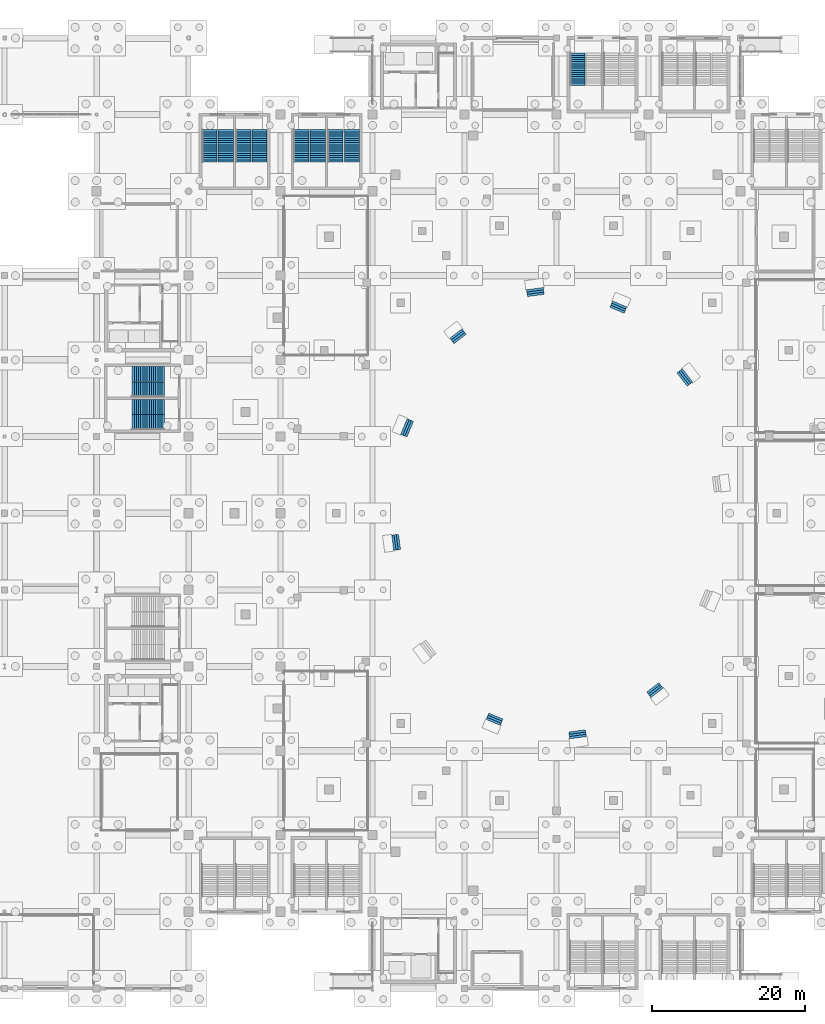
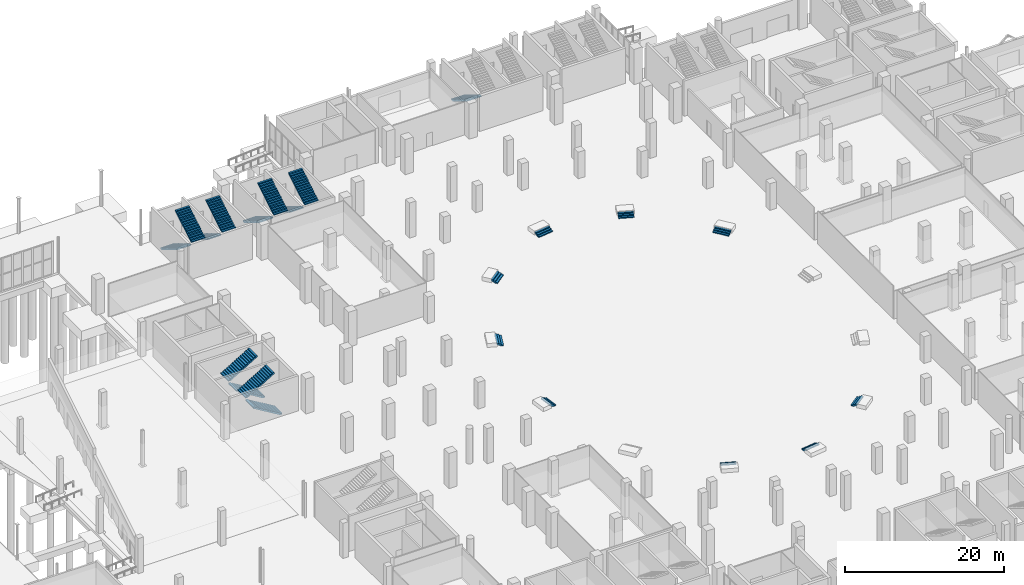
# One storey, part 59 of 70: 22 stair flights, 16 elements without a shape of their own.
"""IFC4 building model written with IfcOpenShell, lengths in metres."""

from ifc_helpers import new_model, si_unit, direction, frame, origin, place, context, subcontext, project, spatial, polyline, outline, extrude, material, layer, layer_set, type_object, element, aggregate, save


model = new_model("IFC4")

# Units and contexts
model_context = context("Model", 3, precision=1e-05, world=origin(), true_north=direction((0.0, 1.0)))
body_context = subcontext(model_context, "Body", "Model", "MODEL_VIEW")
ifc_project = project(units=[si_unit("LENGTHUNIT", "METRE"), si_unit("AREAUNIT", "SQUARE_METRE"), si_unit("VOLUMEUNIT", "CUBIC_METRE"), si_unit("PLANEANGLEUNIT", "RADIAN"), si_unit("MASSUNIT", "GRAM", prefix="KILO")], contexts=[model_context])

# Site, building, storey
site_placement = place(None, origin())
site = spatial("IfcSite", under=ifc_project, at=site_placement, CompositionType="ELEMENT")
building_placement = place(site_placement, origin())
building = spatial("IfcBuilding", under=site, at=building_placement, Name="Brinegate Civic Arena", CompositionType="ELEMENT")
storey_placement = place(building_placement, origin())
storey = spatial("IfcBuildingStorey", under=building, at=storey_placement, Name="L00", CompositionType="ELEMENT", Elevation=0.0)

# Stair, stair flights
ifc_material = material(Name="Concrete C40/50", Category="concrete")
stair_type_1 = type_object("IfcStairType", Name="STAIR-EXIT-3700", PredefinedType="HALF_TURN_STAIR", material=ifc_material)
stair_1_placement = place(storey_placement, origin())
stair_1 = element("IfcStair", 1, at=stair_1_placement, inside=storey, type_object=stair_type_1, Name="Protected Exit Stair ST-01B (L00)", PredefinedType="HALF_TURN_STAIR")
ifc_layer_1 = layer(ifc_material, 0.179931640625, Name="Concrete C40/50")
ifc_layer_set_1 = layer_set([ifc_layer_1], Name="Concrete C40/50")
stair_flight_type_1 = type_object("IfcStairFlightType", Name="FLIGHT-EXIT-3700", PredefinedType="STRAIGHT", material=ifc_layer_set_1)
stair_flight_1_placement = place(storey_placement, frame((67.139892578125, 112.030029296875, 0.0), z_axis=(0.0, 0.0, 1.0), x_axis=(0.0, -1.0, 0.0)))
stair_flight_1 = element("IfcStairFlight", 2, at=stair_flight_1_placement, type_object=stair_flight_type_1, Name="ST-01B flight 1", NumberOfRisers=16, NumberOfTreads=15, PredefinedType="STRAIGHT", RiserHeight=0.16875, TreadLength=0.28, context=body_context, shape_type="SweptSolid", body=[
    extrude(outline(polyline([(0.0, 0.0), (0.0, 0.168701171875), (0.280029296875, 0.168701171875), (0.280029296875, 0.33740234375), (0.56005859375, 0.33740234375), (0.56005859375, 0.50634765625), (0.840087890625, 0.50634765625), (0.840087890625, 0.675048828125), (1.1201171875, 0.675048828125), (1.1201171875, 0.84375), (1.39990234375, 0.84375), (1.39990234375, 1.012451171875), (1.679931640625, 1.012451171875), (1.679931640625, 1.18115234375), (1.9599609375, 1.18115234375), (1.9599609375, 1.35009765625), (2.239990234375, 1.35009765625), (2.239990234375, 1.518798828125), (2.52001953125, 1.518798828125), (2.52001953125, 1.6875), (2.800048828125, 1.6875), (2.800048828125, 1.856201171875), (3.080078125, 1.856201171875), (3.080078125, 2.02490234375), (3.360107421875, 2.02490234375), (3.360107421875, 2.19384765625), (3.639892578125, 2.19384765625), (3.639892578125, 2.362548828125), (3.919921875, 2.362548828125), (3.919921875, 2.53125), (4.199951171875, 2.53125), (4.199951171875, 2.699951171875), (4.199951171875, 2.3212890625), (0.3486328125, 0.0), (0.0, 0.0)])), frame((0.0, 0.97998046875, 0.0), z_axis=(0.0, -1.0, 0.0), x_axis=(1.0, 0.0, 0.0)), (0.0, 0.0, 1.0), 1.9599609375),
])
stair_flight_2_placement = place(storey_placement, frame((69.280029296875, 107.830078125, 2.699951171875), z_axis=(0.0, 0.0, 1.0), x_axis=(0.0, 1.0, 0.0)))
stair_flight_2 = element("IfcStairFlight", 3, at=stair_flight_2_placement, type_object=stair_flight_type_1, Name="ST-01B flight 2", NumberOfRisers=16, NumberOfTreads=15, PredefinedType="STRAIGHT", RiserHeight=0.16875, TreadLength=0.28, context=body_context, shape_type="SweptSolid", body=[
    extrude(outline(polyline([(0.0, 0.0), (0.0, 0.168701171875), (0.280029296875, 0.168701171875), (0.280029296875, 0.33740234375), (0.56005859375, 0.33740234375), (0.56005859375, 0.50634765625), (0.840087890625, 0.50634765625), (0.840087890625, 0.675048828125), (1.1201171875, 0.675048828125), (1.1201171875, 0.84375), (1.39990234375, 0.84375), (1.39990234375, 1.012451171875), (1.679931640625, 1.012451171875), (1.679931640625, 1.18115234375), (1.9599609375, 1.18115234375), (1.9599609375, 1.35009765625), (2.239990234375, 1.35009765625), (2.239990234375, 1.518798828125), (2.52001953125, 1.518798828125), (2.52001953125, 1.6875), (2.800048828125, 1.6875), (2.800048828125, 1.856201171875), (3.080078125, 1.856201171875), (3.080078125, 2.02490234375), (3.360107421875, 2.02490234375), (3.360107421875, 2.19384765625), (3.639892578125, 2.19384765625), (3.639892578125, 2.362548828125), (3.919921875, 2.362548828125), (3.919921875, 2.53125), (4.199951171875, 2.53125), (4.199951171875, 2.699951171875), (4.199951171875, 2.3212890625), (0.3486328125, 0.0), (0.0, 0.0)])), frame((0.0, 0.97998046875, 0.0), z_axis=(0.0, -1.0, 0.0), x_axis=(1.0, 0.0, 0.0)), (0.0, 0.0, 1.0), 1.9599609375),
])
aggregate(stair_1, [stair_flight_1, stair_flight_2])

stair_2_placement = place(storey_placement, origin())
stair_2 = element("IfcStair", 4, at=stair_2_placement, inside=storey, type_object=stair_type_1, Name="Protected Exit Stair ST-07B (L00)", PredefinedType="HALF_TURN_STAIR")
stair_flight_3_placement = place(storey_placement, frame((56.830078125, 78.139892578125, 0.0), z_axis=(0.0, 0.0, 1.0), x_axis=(-1.0, 0.0, 0.0)))
stair_flight_3 = element("IfcStairFlight", 5, at=stair_flight_3_placement, type_object=stair_flight_type_1, Name="ST-07B flight 1", NumberOfRisers=16, NumberOfTreads=15, PredefinedType="STRAIGHT", RiserHeight=0.16875, TreadLength=0.28, context=body_context, shape_type="SweptSolid", body=[
    extrude(outline(polyline([(0.0, 0.0), (0.0, 0.168701171875), (0.280029296875, 0.168701171875), (0.280029296875, 0.33740234375), (0.56005859375, 0.33740234375), (0.56005859375, 0.50634765625), (0.840087890625, 0.50634765625), (0.840087890625, 0.675048828125), (1.1201171875, 0.675048828125), (1.1201171875, 0.84375), (1.39990234375, 0.84375), (1.39990234375, 1.012451171875), (1.679931640625, 1.012451171875), (1.679931640625, 1.18115234375), (1.9599609375, 1.18115234375), (1.9599609375, 1.35009765625), (2.239990234375, 1.35009765625), (2.239990234375, 1.518798828125), (2.52001953125, 1.518798828125), (2.52001953125, 1.6875), (2.800048828125, 1.6875), (2.800048828125, 1.856201171875), (3.080078125, 1.856201171875), (3.080078125, 2.02490234375), (3.360107421875, 2.02490234375), (3.360107421875, 2.19384765625), (3.639892578125, 2.19384765625), (3.639892578125, 2.362548828125), (3.919921875, 2.362548828125), (3.919921875, 2.53125), (4.199951171875, 2.53125), (4.199951171875, 2.699951171875), (4.199951171875, 2.3212890625), (0.3486328125, 0.0), (0.0, 0.0)])), frame((0.0, 0.97998046875, 0.0), z_axis=(0.0, -1.0, 0.0), x_axis=(1.0, 0.0, 0.0)), (0.0, 0.0, 1.0), 1.9599609375),
])
stair_flight_4_placement = place(storey_placement, frame((52.6298828125, 80.1298828125, 2.699951171875), z_axis=(0.0, 0.0, 1.0), x_axis=(1.0, 0.0, 0.0)))
stair_flight_4 = element("IfcStairFlight", 6, at=stair_flight_4_placement, type_object=stair_flight_type_1, Name="ST-07B flight 2", NumberOfRisers=16, NumberOfTreads=15, PredefinedType="STRAIGHT", RiserHeight=0.16875, TreadLength=0.28, context=body_context, shape_type="SweptSolid", body=[
    extrude(outline(polyline([(0.0, 0.0), (0.0, 0.168701171875), (0.280029296875, 0.168701171875), (0.280029296875, 0.33740234375), (0.56005859375, 0.33740234375), (0.56005859375, 0.50634765625), (0.840087890625, 0.50634765625), (0.840087890625, 0.675048828125), (1.1201171875, 0.675048828125), (1.1201171875, 0.84375), (1.39990234375, 0.84375), (1.39990234375, 1.012451171875), (1.679931640625, 1.012451171875), (1.679931640625, 1.18115234375), (1.9599609375, 1.18115234375), (1.9599609375, 1.35009765625), (2.239990234375, 1.35009765625), (2.239990234375, 1.518798828125), (2.52001953125, 1.518798828125), (2.52001953125, 1.6875), (2.800048828125, 1.6875), (2.800048828125, 1.856201171875), (3.080078125, 1.856201171875), (3.080078125, 2.02490234375), (3.360107421875, 2.02490234375), (3.360107421875, 2.19384765625), (3.639892578125, 2.19384765625), (3.639892578125, 2.362548828125), (3.919921875, 2.362548828125), (3.919921875, 2.53125), (4.199951171875, 2.53125), (4.199951171875, 2.699951171875), (4.199951171875, 2.3212890625), (0.3486328125, 0.0), (0.0, 0.0)])), frame((0.0, 0.97998046875, 0.0), z_axis=(0.0, -1.0, 0.0), x_axis=(1.0, 0.0, 0.0)), (0.0, 0.0, 1.0), 1.9599609375),
])
aggregate(stair_2, [stair_flight_3, stair_flight_4])

stair_3_placement = place(storey_placement, origin())
stair_3 = element("IfcStair", 7, at=stair_3_placement, inside=storey, type_object=stair_type_1, Name="Protected Exit Stair ST-11B (L00)", PredefinedType="HALF_TURN_STAIR")
stair_flight_5_placement = place(storey_placement, frame((79.139892578125, 112.030029296875, 0.0), z_axis=(0.0, 0.0, 1.0), x_axis=(0.0, -1.0, 0.0)))
stair_flight_5 = element("IfcStairFlight", 8, at=stair_flight_5_placement, type_object=stair_flight_type_1, Name="ST-11B flight 1", NumberOfRisers=16, NumberOfTreads=15, PredefinedType="STRAIGHT", RiserHeight=0.16875, TreadLength=0.28, context=body_context, shape_type="SweptSolid", body=[
    extrude(outline(polyline([(0.0, 0.0), (0.0, 0.168701171875), (0.280029296875, 0.168701171875), (0.280029296875, 0.33740234375), (0.56005859375, 0.33740234375), (0.56005859375, 0.50634765625), (0.840087890625, 0.50634765625), (0.840087890625, 0.675048828125), (1.1201171875, 0.675048828125), (1.1201171875, 0.84375), (1.39990234375, 0.84375), (1.39990234375, 1.012451171875), (1.679931640625, 1.012451171875), (1.679931640625, 1.18115234375), (1.9599609375, 1.18115234375), (1.9599609375, 1.35009765625), (2.239990234375, 1.35009765625), (2.239990234375, 1.518798828125), (2.52001953125, 1.518798828125), (2.52001953125, 1.6875), (2.800048828125, 1.6875), (2.800048828125, 1.856201171875), (3.080078125, 1.856201171875), (3.080078125, 2.02490234375), (3.360107421875, 2.02490234375), (3.360107421875, 2.19384765625), (3.639892578125, 2.19384765625), (3.639892578125, 2.362548828125), (3.919921875, 2.362548828125), (3.919921875, 2.53125), (4.199951171875, 2.53125), (4.199951171875, 2.699951171875), (4.199951171875, 2.3212890625), (0.3486328125, 0.0), (0.0, 0.0)])), frame((0.0, 0.97998046875, 0.0), z_axis=(0.0, -1.0, 0.0), x_axis=(1.0, 0.0, 0.0)), (0.0, 0.0, 1.0), 1.9599609375),
])
stair_flight_6_placement = place(storey_placement, frame((81.31005859375, 107.830078125, 2.699951171875), z_axis=(0.0, 0.0, 1.0), x_axis=(0.0, 1.0, 0.0)))
stair_flight_6 = element("IfcStairFlight", 9, at=stair_flight_6_placement, type_object=stair_flight_type_1, Name="ST-11B flight 2", NumberOfRisers=16, NumberOfTreads=15, PredefinedType="STRAIGHT", RiserHeight=0.16875, TreadLength=0.28, context=body_context, shape_type="SweptSolid", body=[
    extrude(outline(polyline([(0.0, 0.0), (0.0, 0.168701171875), (0.280029296875, 0.168701171875), (0.280029296875, 0.33740234375), (0.56005859375, 0.33740234375), (0.56005859375, 0.50634765625), (0.840087890625, 0.50634765625), (0.840087890625, 0.675048828125), (1.1201171875, 0.675048828125), (1.1201171875, 0.84375), (1.39990234375, 0.84375), (1.39990234375, 1.012451171875), (1.679931640625, 1.012451171875), (1.679931640625, 1.18115234375), (1.9599609375, 1.18115234375), (1.9599609375, 1.35009765625), (2.239990234375, 1.35009765625), (2.239990234375, 1.518798828125), (2.52001953125, 1.518798828125), (2.52001953125, 1.6875), (2.800048828125, 1.6875), (2.800048828125, 1.856201171875), (3.080078125, 1.856201171875), (3.080078125, 2.02490234375), (3.360107421875, 2.02490234375), (3.360107421875, 2.19384765625), (3.639892578125, 2.19384765625), (3.639892578125, 2.362548828125), (3.919921875, 2.362548828125), (3.919921875, 2.53125), (4.199951171875, 2.53125), (4.199951171875, 2.699951171875), (4.199951171875, 2.3212890625), (0.3486328125, 0.0), (0.0, 0.0)])), frame((0.0, 0.97998046875, 0.0), z_axis=(0.0, -1.0, 0.0), x_axis=(1.0, 0.0, 0.0)), (0.0, 0.0, 1.0), 1.9599609375),
])
aggregate(stair_3, [stair_flight_5, stair_flight_6])

stair_type_2 = type_object("IfcStairType", Name="STAIR-EXIT-3850", PredefinedType="HALF_TURN_STAIR", material=ifc_material)
stair_4_placement = place(storey_placement, origin())
stair_4 = element("IfcStair", 10, at=stair_4_placement, inside=storey, type_object=stair_type_2, Name="Protected Exit Stair ST-01A (L00)", PredefinedType="HALF_TURN_STAIR")
ifc_layer_2 = layer(ifc_material, 0.179931640625, Name="Concrete C40/50")
ifc_layer_set_2 = layer_set([ifc_layer_2], Name="Concrete C40/50")
stair_flight_type_2 = type_object("IfcStairFlightType", Name="FLIGHT-EXIT-3850", PredefinedType="STRAIGHT", material=ifc_layer_set_2)
stair_flight_7_placement = place(storey_placement, frame((62.72998046875, 112.030029296875, 0.0), z_axis=(0.0, 0.0, 1.0), x_axis=(0.0, -1.0, 0.0)))
stair_flight_7 = element("IfcStairFlight", 11, at=stair_flight_7_placement, type_object=stair_flight_type_2, Name="ST-01A flight 1", NumberOfRisers=16, NumberOfTreads=15, PredefinedType="STRAIGHT", RiserHeight=0.16875, TreadLength=0.28, context=body_context, shape_type="SweptSolid", body=[
    extrude(outline(polyline([(0.0, 0.0), (0.0, 0.168701171875), (0.280029296875, 0.168701171875), (0.280029296875, 0.33740234375), (0.56005859375, 0.33740234375), (0.56005859375, 0.50634765625), (0.840087890625, 0.50634765625), (0.840087890625, 0.675048828125), (1.1201171875, 0.675048828125), (1.1201171875, 0.84375), (1.39990234375, 0.84375), (1.39990234375, 1.012451171875), (1.679931640625, 1.012451171875), (1.679931640625, 1.18115234375), (1.9599609375, 1.18115234375), (1.9599609375, 1.35009765625), (2.239990234375, 1.35009765625), (2.239990234375, 1.518798828125), (2.52001953125, 1.518798828125), (2.52001953125, 1.6875), (2.800048828125, 1.6875), (2.800048828125, 1.856201171875), (3.080078125, 1.856201171875), (3.080078125, 2.02490234375), (3.360107421875, 2.02490234375), (3.360107421875, 2.19384765625), (3.639892578125, 2.19384765625), (3.639892578125, 2.362548828125), (3.919921875, 2.362548828125), (3.919921875, 2.53125), (4.199951171875, 2.53125), (4.199951171875, 2.699951171875), (4.199951171875, 2.3212890625), (0.3486328125, 0.0), (0.0, 0.0)])), frame((0.0, 0.989990234375, 0.0), z_axis=(0.0, -1.0, 0.0), x_axis=(1.0, 0.0, 0.0)), (0.0, 0.0, 1.0), 1.97998046875),
])
stair_flight_8_placement = place(storey_placement, frame((64.85009765625, 107.830078125, 2.699951171875), z_axis=(0.0, 0.0, 1.0), x_axis=(0.0, 1.0, 0.0)))
stair_flight_8 = element("IfcStairFlight", 12, at=stair_flight_8_placement, type_object=stair_flight_type_2, Name="ST-01A flight 2", NumberOfRisers=16, NumberOfTreads=15, PredefinedType="STRAIGHT", RiserHeight=0.16875, TreadLength=0.28, context=body_context, shape_type="SweptSolid", body=[
    extrude(outline(polyline([(0.0, 0.0), (0.0, 0.168701171875), (0.280029296875, 0.168701171875), (0.280029296875, 0.33740234375), (0.56005859375, 0.33740234375), (0.56005859375, 0.50634765625), (0.840087890625, 0.50634765625), (0.840087890625, 0.675048828125), (1.1201171875, 0.675048828125), (1.1201171875, 0.84375), (1.39990234375, 0.84375), (1.39990234375, 1.012451171875), (1.679931640625, 1.012451171875), (1.679931640625, 1.18115234375), (1.9599609375, 1.18115234375), (1.9599609375, 1.35009765625), (2.239990234375, 1.35009765625), (2.239990234375, 1.518798828125), (2.52001953125, 1.518798828125), (2.52001953125, 1.6875), (2.800048828125, 1.6875), (2.800048828125, 1.856201171875), (3.080078125, 1.856201171875), (3.080078125, 2.02490234375), (3.360107421875, 2.02490234375), (3.360107421875, 2.19384765625), (3.639892578125, 2.19384765625), (3.639892578125, 2.362548828125), (3.919921875, 2.362548828125), (3.919921875, 2.53125), (4.199951171875, 2.53125), (4.199951171875, 2.699951171875), (4.199951171875, 2.3212890625), (0.3486328125, 0.0), (0.0, 0.0)])), frame((0.0, 0.989990234375, 0.0), z_axis=(0.0, -1.0, 0.0), x_axis=(1.0, 0.0, 0.0)), (0.0, 0.0, 1.0), 1.97998046875),
])
aggregate(stair_4, [stair_flight_7, stair_flight_8])

stair_5_placement = place(storey_placement, origin())
stair_5 = element("IfcStair", 13, at=stair_5_placement, inside=storey, type_object=stair_type_2, Name="Protected Exit Stair ST-07A (L00)", PredefinedType="HALF_TURN_STAIR")
stair_flight_9_placement = place(storey_placement, frame((56.830078125, 73.8779296875, 0.0), z_axis=(0.0, 0.0, 1.0), x_axis=(-1.0, 0.0, 0.0)))
stair_flight_9 = element("IfcStairFlight", 14, at=stair_flight_9_placement, type_object=stair_flight_type_2, Name="ST-07A flight 1", NumberOfRisers=16, NumberOfTreads=15, PredefinedType="STRAIGHT", RiserHeight=0.16875, TreadLength=0.28, context=body_context, shape_type="SweptSolid", body=[
    extrude(outline(polyline([(0.0, 0.0), (0.0, 0.168701171875), (0.280029296875, 0.168701171875), (0.280029296875, 0.33740234375), (0.56005859375, 0.33740234375), (0.56005859375, 0.50634765625), (0.840087890625, 0.50634765625), (0.840087890625, 0.675048828125), (1.1201171875, 0.675048828125), (1.1201171875, 0.84375), (1.39990234375, 0.84375), (1.39990234375, 1.012451171875), (1.679931640625, 1.012451171875), (1.679931640625, 1.18115234375), (1.9599609375, 1.18115234375), (1.9599609375, 1.35009765625), (2.239990234375, 1.35009765625), (2.239990234375, 1.518798828125), (2.52001953125, 1.518798828125), (2.52001953125, 1.6875), (2.800048828125, 1.6875), (2.800048828125, 1.856201171875), (3.080078125, 1.856201171875), (3.080078125, 2.02490234375), (3.360107421875, 2.02490234375), (3.360107421875, 2.19384765625), (3.639892578125, 2.19384765625), (3.639892578125, 2.362548828125), (3.919921875, 2.362548828125), (3.919921875, 2.53125), (4.199951171875, 2.53125), (4.199951171875, 2.699951171875), (4.199951171875, 2.3212890625), (0.3486328125, 0.0), (0.0, 0.0)])), frame((0.0, 0.987548828125, 0.0), z_axis=(0.0, -1.0, 0.0), x_axis=(1.0, 0.0, 0.0)), (0.0, 0.0, 1.0), 1.97509765625),
])
stair_flight_10_placement = place(storey_placement, frame((52.6298828125, 75.85302734375, 2.699951171875), z_axis=(0.0, 0.0, 1.0), x_axis=(1.0, 0.0, 0.0)))
stair_flight_10 = element("IfcStairFlight", 15, at=stair_flight_10_placement, type_object=stair_flight_type_2, Name="ST-07A flight 2", NumberOfRisers=16, NumberOfTreads=15, PredefinedType="STRAIGHT", RiserHeight=0.16875, TreadLength=0.28, context=body_context, shape_type="SweptSolid", body=[
    extrude(outline(polyline([(0.0, 0.0), (0.0, 0.168701171875), (0.280029296875, 0.168701171875), (0.280029296875, 0.33740234375), (0.56005859375, 0.33740234375), (0.56005859375, 0.50634765625), (0.840087890625, 0.50634765625), (0.840087890625, 0.675048828125), (1.1201171875, 0.675048828125), (1.1201171875, 0.84375), (1.39990234375, 0.84375), (1.39990234375, 1.012451171875), (1.679931640625, 1.012451171875), (1.679931640625, 1.18115234375), (1.9599609375, 1.18115234375), (1.9599609375, 1.35009765625), (2.239990234375, 1.35009765625), (2.239990234375, 1.518798828125), (2.52001953125, 1.518798828125), (2.52001953125, 1.6875), (2.800048828125, 1.6875), (2.800048828125, 1.856201171875), (3.080078125, 1.856201171875), (3.080078125, 2.02490234375), (3.360107421875, 2.02490234375), (3.360107421875, 2.19384765625), (3.639892578125, 2.19384765625), (3.639892578125, 2.362548828125), (3.919921875, 2.362548828125), (3.919921875, 2.53125), (4.199951171875, 2.53125), (4.199951171875, 2.699951171875), (4.199951171875, 2.3212890625), (0.3486328125, 0.0), (0.0, 0.0)])), frame((0.0, 0.987548828125, 0.0), z_axis=(0.0, -1.0, 0.0), x_axis=(1.0, 0.0, 0.0)), (0.0, 0.0, 1.0), 1.97509765625),
])
aggregate(stair_5, [stair_flight_9, stair_flight_10])

stair_6_placement = place(storey_placement, origin())
stair_6 = element("IfcStair", 16, at=stair_6_placement, inside=storey, type_object=stair_type_2, Name="Protected Exit Stair ST-11A (L00)", PredefinedType="HALF_TURN_STAIR")
stair_flight_11_placement = place(storey_placement, frame((74.699951171875, 112.030029296875, 0.0), z_axis=(0.0, 0.0, 1.0), x_axis=(0.0, -1.0, 0.0)))
stair_flight_11 = element("IfcStairFlight", 17, at=stair_flight_11_placement, type_object=stair_flight_type_2, Name="ST-11A flight 1", NumberOfRisers=16, NumberOfTreads=15, PredefinedType="STRAIGHT", RiserHeight=0.16875, TreadLength=0.28, context=body_context, shape_type="SweptSolid", body=[
    extrude(outline(polyline([(0.0, 0.0), (0.0, 0.168701171875), (0.280029296875, 0.168701171875), (0.280029296875, 0.33740234375), (0.56005859375, 0.33740234375), (0.56005859375, 0.50634765625), (0.840087890625, 0.50634765625), (0.840087890625, 0.675048828125), (1.1201171875, 0.675048828125), (1.1201171875, 0.84375), (1.39990234375, 0.84375), (1.39990234375, 1.012451171875), (1.679931640625, 1.012451171875), (1.679931640625, 1.18115234375), (1.9599609375, 1.18115234375), (1.9599609375, 1.35009765625), (2.239990234375, 1.35009765625), (2.239990234375, 1.518798828125), (2.52001953125, 1.518798828125), (2.52001953125, 1.6875), (2.800048828125, 1.6875), (2.800048828125, 1.856201171875), (3.080078125, 1.856201171875), (3.080078125, 2.02490234375), (3.360107421875, 2.02490234375), (3.360107421875, 2.19384765625), (3.639892578125, 2.19384765625), (3.639892578125, 2.362548828125), (3.919921875, 2.362548828125), (3.919921875, 2.53125), (4.199951171875, 2.53125), (4.199951171875, 2.699951171875), (4.199951171875, 2.3212890625), (0.3486328125, 0.0), (0.0, 0.0)])), frame((0.0, 0.989990234375, 0.0), z_axis=(0.0, -1.0, 0.0), x_axis=(1.0, 0.0, 0.0)), (0.0, 0.0, 1.0), 1.97998046875),
])
stair_flight_12_placement = place(storey_placement, frame((76.85009765625, 107.830078125, 2.699951171875), z_axis=(0.0, 0.0, 1.0), x_axis=(0.0, 1.0, 0.0)))
stair_flight_12 = element("IfcStairFlight", 18, at=stair_flight_12_placement, type_object=stair_flight_type_2, Name="ST-11A flight 2", NumberOfRisers=16, NumberOfTreads=15, PredefinedType="STRAIGHT", RiserHeight=0.16875, TreadLength=0.28, context=body_context, shape_type="SweptSolid", body=[
    extrude(outline(polyline([(0.0, 0.0), (0.0, 0.168701171875), (0.280029296875, 0.168701171875), (0.280029296875, 0.33740234375), (0.56005859375, 0.33740234375), (0.56005859375, 0.50634765625), (0.840087890625, 0.50634765625), (0.840087890625, 0.675048828125), (1.1201171875, 0.675048828125), (1.1201171875, 0.84375), (1.39990234375, 0.84375), (1.39990234375, 1.012451171875), (1.679931640625, 1.012451171875), (1.679931640625, 1.18115234375), (1.9599609375, 1.18115234375), (1.9599609375, 1.35009765625), (2.239990234375, 1.35009765625), (2.239990234375, 1.518798828125), (2.52001953125, 1.518798828125), (2.52001953125, 1.6875), (2.800048828125, 1.6875), (2.800048828125, 1.856201171875), (3.080078125, 1.856201171875), (3.080078125, 2.02490234375), (3.360107421875, 2.02490234375), (3.360107421875, 2.19384765625), (3.639892578125, 2.19384765625), (3.639892578125, 2.362548828125), (3.919921875, 2.362548828125), (3.919921875, 2.53125), (4.199951171875, 2.53125), (4.199951171875, 2.699951171875), (4.199951171875, 2.3212890625), (0.3486328125, 0.0), (0.0, 0.0)])), frame((0.0, 0.989990234375, 0.0), z_axis=(0.0, -1.0, 0.0), x_axis=(1.0, 0.0, 0.0)), (0.0, 0.0, 1.0), 1.97998046875),
])
aggregate(stair_6, [stair_flight_11, stair_flight_12])

# Stair, stair flight
stair_7_placement = place(storey_placement, origin())
stair_7 = element("IfcStair", 19, at=stair_7_placement, inside=storey, type_object=stair_type_2, Name="Protected Exit Stair ST-15A (L00)", PredefinedType="HALF_TURN_STAIR")
stair_flight_13_placement = place(storey_placement, frame((110.75, 122.030029296875, 0.0), z_axis=(0.0, 0.0, 1.0), x_axis=(0.0, -1.0, 0.0)))
stair_flight_13 = element("IfcStairFlight", 20, at=stair_flight_13_placement, type_object=stair_flight_type_2, Name="ST-15A flight 1", NumberOfRisers=16, NumberOfTreads=15, PredefinedType="STRAIGHT", RiserHeight=0.16875, TreadLength=0.28, context=body_context, shape_type="SweptSolid", body=[
    extrude(outline(polyline([(0.0, 0.0), (0.0, 0.168701171875), (0.280029296875, 0.168701171875), (0.280029296875, 0.33740234375), (0.56005859375, 0.33740234375), (0.56005859375, 0.50634765625), (0.840087890625, 0.50634765625), (0.840087890625, 0.675048828125), (1.1201171875, 0.675048828125), (1.1201171875, 0.84375), (1.39990234375, 0.84375), (1.39990234375, 1.012451171875), (1.679931640625, 1.012451171875), (1.679931640625, 1.18115234375), (1.9599609375, 1.18115234375), (1.9599609375, 1.35009765625), (2.239990234375, 1.35009765625), (2.239990234375, 1.518798828125), (2.52001953125, 1.518798828125), (2.52001953125, 1.6875), (2.800048828125, 1.6875), (2.800048828125, 1.856201171875), (3.080078125, 1.856201171875), (3.080078125, 2.02490234375), (3.360107421875, 2.02490234375), (3.360107421875, 2.19384765625), (3.639892578125, 2.19384765625), (3.639892578125, 2.362548828125), (3.919921875, 2.362548828125), (3.919921875, 2.53125), (4.199951171875, 2.53125), (4.199951171875, 2.699951171875), (4.199951171875, 2.3212890625), (0.3486328125, 0.0), (0.0, 0.0)])), frame((0.0, 0.989990234375, 0.0), z_axis=(0.0, -1.0, 0.0), x_axis=(1.0, 0.0, 0.0)), (0.0, 0.0, 1.0), 1.97998046875),
])
aggregate(stair_7, [stair_flight_13])

stair_type_3 = type_object("IfcStairType", Name="STAIR-VOMITORY-2000", PredefinedType="STRAIGHT_RUN_STAIR", material=ifc_material)
stair_8_placement = place(storey_placement, origin())
stair_8 = element("IfcStair", 21, at=stair_8_placement, inside=storey, type_object=stair_type_3, Name="Vomitory Stair VS-03", PredefinedType="STRAIGHT_RUN_STAIR")
ifc_layer_3 = layer(ifc_material, 0.159912109375, Name="Concrete C40/50")
ifc_layer_set_3 = layer_set([ifc_layer_3], Name="Concrete C40/50")
stair_flight_type_3 = type_object("IfcStairFlightType", Name="FLIGHT-VOM-2000", PredefinedType="STRAIGHT", material=ifc_layer_set_3)
stair_flight_14_placement = place(storey_placement, frame((115.903076171875, 88.469970703125, 0.0), z_axis=(0.0, 0.0, 1.0), x_axis=(0.382683432365, 0.923879532511, 0.0)))
stair_flight_14 = element("IfcStairFlight", 22, at=stair_flight_14_placement, type_object=stair_flight_type_3, Name="VS-03 flight 1", NumberOfRisers=4, NumberOfTreads=3, PredefinedType="STRAIGHT", RiserHeight=0.15, TreadLength=0.3, context=body_context, shape_type="SweptSolid", body=[
    extrude(outline(polyline([(0.0, 0.0), (0.0, 0.14990234375), (0.300048828125, 0.14990234375), (0.300048828125, 0.300048828125), (0.60009765625, 0.300048828125), (0.60009765625, 0.449951171875), (0.89990234375, 0.449951171875), (0.89990234375, 0.60009765625), (0.89990234375, 0.271240234375), (0.357666015625, 0.0), (0.0, 0.0)])), frame((0.0, 1.0, 0.0), z_axis=(0.0, -1.0, 0.0), x_axis=(1.0, 0.0, 0.0)), (0.0, 0.0, 1.0), 2.0),
])
aggregate(stair_8, [stair_flight_14])

stair_9_placement = place(storey_placement, origin())
stair_9 = element("IfcStair", 23, at=stair_9_placement, inside=storey, type_object=stair_type_3, Name="Vomitory Stair VS-05", PredefinedType="STRAIGHT_RUN_STAIR")
stair_flight_15_placement = place(storey_placement, frame((95.428955078125, 84.72998046875, 0.0), z_axis=(0.0, 0.0, 1.0), x_axis=(-0.608761429009, 0.793353340291, 0.0)))
stair_flight_15 = element("IfcStairFlight", 24, at=stair_flight_15_placement, type_object=stair_flight_type_3, Name="VS-05 flight 1", NumberOfRisers=4, NumberOfTreads=3, PredefinedType="STRAIGHT", RiserHeight=0.15, TreadLength=0.3, context=body_context, shape_type="SweptSolid", body=[
    extrude(outline(polyline([(0.0, 0.0), (0.0, 0.14990234375), (0.300048828125, 0.14990234375), (0.300048828125, 0.300048828125), (0.60009765625, 0.300048828125), (0.60009765625, 0.449951171875), (0.89990234375, 0.449951171875), (0.89990234375, 0.60009765625), (0.89990234375, 0.271240234375), (0.357666015625, 0.0), (0.0, 0.0)])), frame((0.0, 1.0, 0.0), z_axis=(0.0, -1.0, 0.0), x_axis=(1.0, 0.0, 0.0)), (0.0, 0.0, 1.0), 2.0),
])
aggregate(stair_9, [stair_flight_15])

stair_10_placement = place(storey_placement, origin())
stair_10 = element("IfcStair", 25, at=stair_10_placement, inside=storey, type_object=stair_type_3, Name="Vomitory Stair VS-07", PredefinedType="STRAIGHT_RUN_STAIR")
stair_flight_16_placement = place(storey_placement, frame((87.52587890625, 58.260009765625, 0.0), z_axis=(0.0, 0.0, 1.0), x_axis=(-0.991444861374, -0.13052619222, 0.0)))
stair_flight_16 = element("IfcStairFlight", 26, at=stair_flight_16_placement, type_object=stair_flight_type_3, Name="VS-07 flight 1", NumberOfRisers=4, NumberOfTreads=3, PredefinedType="STRAIGHT", RiserHeight=0.15, TreadLength=0.3, context=body_context, shape_type="SweptSolid", body=[
    extrude(outline(polyline([(0.0, 0.0), (0.0, 0.14990234375), (0.300048828125, 0.14990234375), (0.300048828125, 0.300048828125), (0.60009765625, 0.300048828125), (0.60009765625, 0.449951171875), (0.89990234375, 0.449951171875), (0.89990234375, 0.60009765625), (0.89990234375, 0.271240234375), (0.357666015625, 0.0), (0.0, 0.0)])), frame((0.0, 1.0, 0.0), z_axis=(0.0, -1.0, 0.0), x_axis=(1.0, 0.0, 0.0)), (0.0, 0.0, 1.0), 2.0),
])
aggregate(stair_10, [stair_flight_16])

stair_11_placement = place(storey_placement, origin())
stair_11 = element("IfcStair", 27, at=stair_11_placement, inside=storey, type_object=stair_type_3, Name="Vomitory Stair VS-09", PredefinedType="STRAIGHT_RUN_STAIR")
stair_flight_17_placement = place(storey_placement, frame((100.096923828125, 35.530029296875, 0.0), z_axis=(0.0, 0.0, 1.0), x_axis=(-0.382683432365, -0.923879532511, 0.0)))
stair_flight_17 = element("IfcStairFlight", 28, at=stair_flight_17_placement, type_object=stair_flight_type_3, Name="VS-09 flight 1", NumberOfRisers=4, NumberOfTreads=3, PredefinedType="STRAIGHT", RiserHeight=0.15, TreadLength=0.3, context=body_context, shape_type="SweptSolid", body=[
    extrude(outline(polyline([(0.0, 0.0), (0.0, 0.14990234375), (0.300048828125, 0.14990234375), (0.300048828125, 0.300048828125), (0.60009765625, 0.300048828125), (0.60009765625, 0.449951171875), (0.89990234375, 0.449951171875), (0.89990234375, 0.60009765625), (0.89990234375, 0.271240234375), (0.357666015625, 0.0), (0.0, 0.0)])), frame((0.0, 1.0, 0.0), z_axis=(0.0, -1.0, 0.0), x_axis=(1.0, 0.0, 0.0)), (0.0, 0.0, 1.0), 2.0),
])
aggregate(stair_11, [stair_flight_17])

stair_12_placement = place(storey_placement, origin())
stair_12 = element("IfcStair", 29, at=stair_12_placement, inside=storey, type_object=stair_type_3, Name="Vomitory Stair VS-11", PredefinedType="STRAIGHT_RUN_STAIR")
stair_flight_18_placement = place(storey_placement, frame((120.571044921875, 39.27001953125, 0.0), z_axis=(0.0, 0.0, 1.0), x_axis=(0.608761429009, -0.793353340291, 0.0)))
stair_flight_18 = element("IfcStairFlight", 30, at=stair_flight_18_placement, type_object=stair_flight_type_3, Name="VS-11 flight 1", NumberOfRisers=4, NumberOfTreads=3, PredefinedType="STRAIGHT", RiserHeight=0.15, TreadLength=0.3, context=body_context, shape_type="SweptSolid", body=[
    extrude(outline(polyline([(0.0, 0.0), (0.0, 0.14990234375), (0.300048828125, 0.14990234375), (0.300048828125, 0.300048828125), (0.60009765625, 0.300048828125), (0.60009765625, 0.449951171875), (0.89990234375, 0.449951171875), (0.89990234375, 0.60009765625), (0.89990234375, 0.271240234375), (0.357666015625, 0.0), (0.0, 0.0)])), frame((0.0, 1.0, 0.0), z_axis=(0.0, -1.0, 0.0), x_axis=(1.0, 0.0, 0.0)), (0.0, 0.0, 1.0), 2.0),
])
aggregate(stair_12, [stair_flight_18])

stair_type_4 = type_object("IfcStairType", Name="STAIR-VOMITORY-2200", PredefinedType="STRAIGHT_RUN_STAIR", material=ifc_material)
stair_13_placement = place(storey_placement, origin())
stair_13 = element("IfcStair", 31, at=stair_13_placement, inside=storey, type_object=stair_type_4, Name="Vomitory Stair VS-02", PredefinedType="STRAIGHT_RUN_STAIR")
ifc_layer_4 = layer(ifc_material, 0.159912109375, Name="Concrete C40/50")
ifc_layer_set_4 = layer_set([ifc_layer_4], Name="Concrete C40/50")
stair_flight_type_4 = type_object("IfcStairFlightType", Name="FLIGHT-VOM-2200", PredefinedType="STRAIGHT", material=ifc_layer_set_4)
stair_flight_19_placement = place(storey_placement, frame((124.383056640625, 79.44091796875, 0.0), z_axis=(0.0, 0.0, 1.0), x_axis=(0.793353340291, 0.608761429009, 0.0)))
stair_flight_19 = element("IfcStairFlight", 32, at=stair_flight_19_placement, type_object=stair_flight_type_4, Name="VS-02 flight 1", NumberOfRisers=4, NumberOfTreads=3, PredefinedType="STRAIGHT", RiserHeight=0.15, TreadLength=0.3, context=body_context, shape_type="SweptSolid", body=[
    extrude(outline(polyline([(0.0, 0.0), (0.0, 0.14990234375), (0.300048828125, 0.14990234375), (0.300048828125, 0.300048828125), (0.60009765625, 0.300048828125), (0.60009765625, 0.449951171875), (0.89990234375, 0.449951171875), (0.89990234375, 0.60009765625), (0.89990234375, 0.271240234375), (0.357666015625, 0.0), (0.0, 0.0)])), frame((0.0, 1.10009765625, 0.0), z_axis=(0.0, -1.0, 0.0), x_axis=(1.0, 0.0, 0.0)), (0.0, 0.0, 1.0), 2.199951171875),
])
aggregate(stair_13, [stair_flight_19])

stair_14_placement = place(storey_placement, origin())
stair_14 = element("IfcStair", 33, at=stair_14_placement, inside=storey, type_object=stair_type_4, Name="Vomitory Stair VS-04", PredefinedType="STRAIGHT_RUN_STAIR")
stair_flight_20_placement = place(storey_placement, frame((105.303955078125, 90.405029296875, 0.0), z_axis=(0.0, 0.0, 1.0), x_axis=(-0.13052619222, 0.991444861374, 0.0)))
stair_flight_20 = element("IfcStairFlight", 34, at=stair_flight_20_placement, type_object=stair_flight_type_4, Name="VS-04 flight 1", NumberOfRisers=4, NumberOfTreads=3, PredefinedType="STRAIGHT", RiserHeight=0.15, TreadLength=0.3, context=body_context, shape_type="SweptSolid", body=[
    extrude(outline(polyline([(0.0, 0.0), (0.0, 0.14990234375), (0.300048828125, 0.14990234375), (0.300048828125, 0.300048828125), (0.60009765625, 0.300048828125), (0.60009765625, 0.449951171875), (0.89990234375, 0.449951171875), (0.89990234375, 0.60009765625), (0.89990234375, 0.271240234375), (0.357666015625, 0.0), (0.0, 0.0)])), frame((0.0, 1.10009765625, 0.0), z_axis=(0.0, -1.0, 0.0), x_axis=(1.0, 0.0, 0.0)), (0.0, 0.0, 1.0), 2.199951171875),
])
aggregate(stair_14, [stair_flight_20])

stair_15_placement = place(storey_placement, origin())
stair_15 = element("IfcStair", 35, at=stair_15_placement, inside=storey, type_object=stair_type_4, Name="Vomitory Stair VS-06", PredefinedType="STRAIGHT_RUN_STAIR")
stair_flight_21_placement = place(storey_placement, frame((88.9208984375, 72.964111328125, 0.0), z_axis=(0.0, 0.0, 1.0), x_axis=(-0.923879532511, 0.382683432365, 0.0)))
stair_flight_21 = element("IfcStairFlight", 36, at=stair_flight_21_placement, type_object=stair_flight_type_4, Name="VS-06 flight 1", NumberOfRisers=4, NumberOfTreads=3, PredefinedType="STRAIGHT", RiserHeight=0.15, TreadLength=0.3, context=body_context, shape_type="SweptSolid", body=[
    extrude(outline(polyline([(0.0, 0.0), (0.0, 0.14990234375), (0.300048828125, 0.14990234375), (0.300048828125, 0.300048828125), (0.60009765625, 0.300048828125), (0.60009765625, 0.449951171875), (0.89990234375, 0.449951171875), (0.89990234375, 0.60009765625), (0.89990234375, 0.271240234375), (0.357666015625, 0.0), (0.0, 0.0)])), frame((0.0, 1.10009765625, 0.0), z_axis=(0.0, -1.0, 0.0), x_axis=(1.0, 0.0, 0.0)), (0.0, 0.0, 1.0), 2.199951171875),
])
aggregate(stair_15, [stair_flight_21])

stair_16_placement = place(storey_placement, origin())
stair_16 = element("IfcStair", 37, at=stair_16_placement, inside=storey, type_object=stair_type_4, Name="Vomitory Stair VS-10", PredefinedType="STRAIGHT_RUN_STAIR")
stair_flight_22_placement = place(storey_placement, frame((110.696044921875, 33.594970703125, 0.0), z_axis=(0.0, 0.0, 1.0), x_axis=(0.13052619222, -0.991444861374, 0.0)))
stair_flight_22 = element("IfcStairFlight", 38, at=stair_flight_22_placement, type_object=stair_flight_type_4, Name="VS-10 flight 1", NumberOfRisers=4, NumberOfTreads=3, PredefinedType="STRAIGHT", RiserHeight=0.15, TreadLength=0.3, context=body_context, shape_type="SweptSolid", body=[
    extrude(outline(polyline([(0.0, 0.0), (0.0, 0.14990234375), (0.300048828125, 0.14990234375), (0.300048828125, 0.300048828125), (0.60009765625, 0.300048828125), (0.60009765625, 0.449951171875), (0.89990234375, 0.449951171875), (0.89990234375, 0.60009765625), (0.89990234375, 0.271240234375), (0.357666015625, 0.0), (0.0, 0.0)])), frame((0.0, 1.10009765625, 0.0), z_axis=(0.0, -1.0, 0.0), x_axis=(1.0, 0.0, 0.0)), (0.0, 0.0, 1.0), 2.199951171875),
])
aggregate(stair_16, [stair_flight_22])

save(model, "model.ifc")
